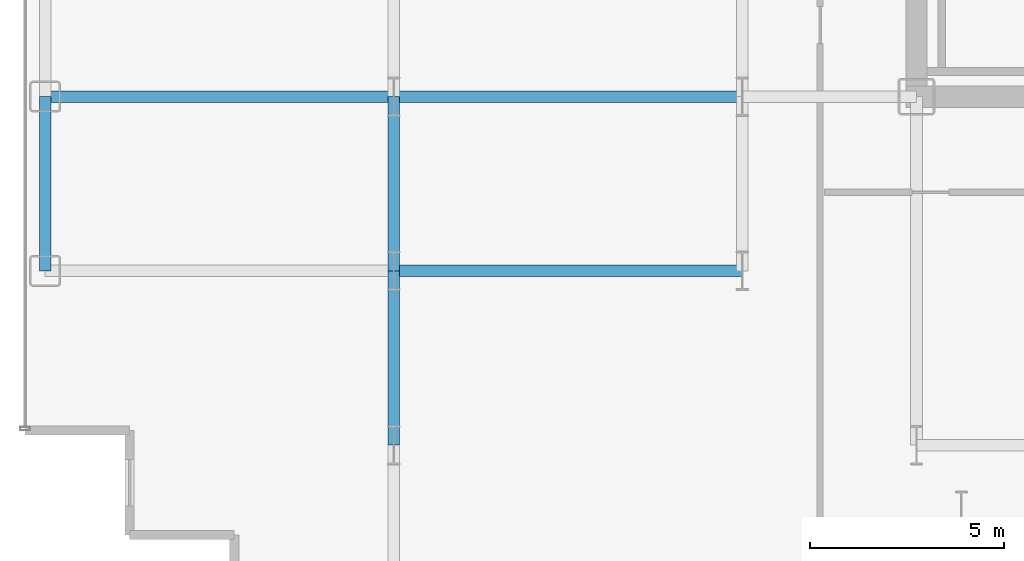
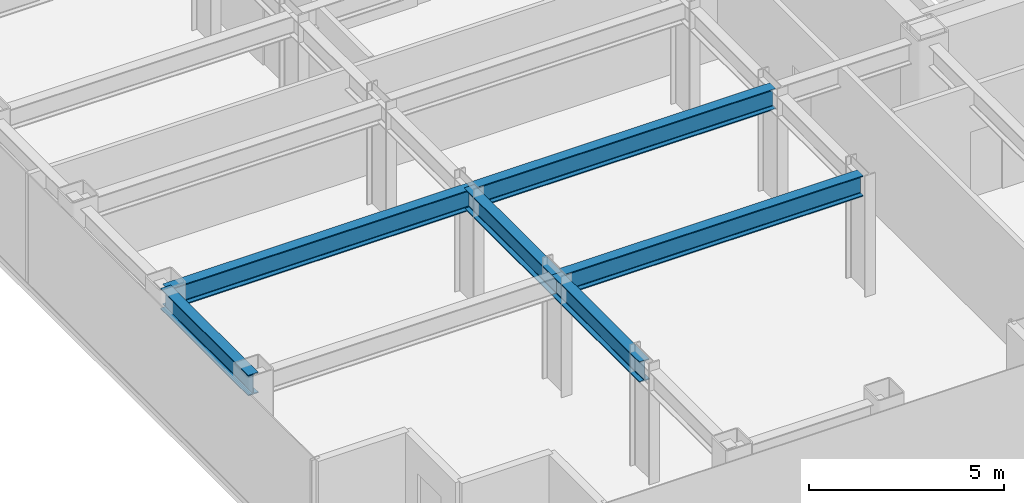
# One storey, part 3 of 25: 6 beams.
"""IFC4 building model written with IfcOpenShell, lengths in metres."""

from ifc_helpers import new_model, si_unit, direction, frame, origin, origin_2d, place, context, subcontext, project, spatial, i_section, extrude, source, transform, mapped, material, material_profile, profile_set, type_object, element, save


model = new_model("IFC4")

# Units and contexts
model_context = context("Model", 3, precision=1e-05, world=origin(), true_north=direction((0.0, 1.0)))
body_context = subcontext(model_context, "Body", "Model", "MODEL_VIEW")
ifc_project = project(units=[si_unit("LENGTHUNIT", "METRE"), si_unit("AREAUNIT", "SQUARE_METRE"), si_unit("VOLUMEUNIT", "CUBIC_METRE"), si_unit("PLANEANGLEUNIT", "RADIAN"), si_unit("MASSUNIT", "GRAM", prefix="KILO")], contexts=[model_context])

# Site, building, storey
site_placement = place(None, origin())
site = spatial("IfcSite", under=ifc_project, at=site_placement, CompositionType="ELEMENT")
building_placement = place(site_placement, origin())
building = spatial("IfcBuilding", under=site, at=building_placement, Name="Nefas-Gora Pilgrimage Tower", CompositionType="ELEMENT")
storey_placement = place(building_placement, frame((0.0, 0.0, 109.800048828125)))
storey = spatial("IfcBuildingStorey", under=building, at=storey_placement, Name="L26", CompositionType="ELEMENT", Elevation=109.800048828125)

# Beams
ifc_material = material(Name="Steel S355", Category="steel")
ifc_material_profile_1 = material_profile(ifc_material, i_section(OverallWidth=0.300048828125, OverallDepth=0.64990234375, WebThickness=0.01611328125, FlangeThickness=0.031005859375, FilletRadius=0.027099609375, at=origin_2d()), Name="HEB 650")
ifc_profile_set_1 = profile_set([ifc_material_profile_1], Name="Steel S355")
beam_type_1 = type_object("IfcBeamType", Name="BM-SPN-HEB500", PredefinedType="SPANDREL", material=ifc_profile_set_1)
shared_shape_1 = source(origin(), body_context, "Body", "SweptSolid", [
    extrude(i_section(OverallWidth=0.300048828125, OverallDepth=0.64990234375, WebThickness=0.01611328125, FlangeThickness=0.031005859375, FilletRadius=0.027099609375, at=origin_2d()), origin(), (0.0, 0.0, 1.0), 4.5),
])
beam_placement = place(storey_placement, frame((-33.75, -13.5, 3.224853515625), z_axis=(0.0, 1.0, 0.0), x_axis=(-1.0, 0.0, 0.0)))
element("IfcBeam", 1, at=beam_placement, inside=storey, type_object=beam_type_1, Name="L26 SP-02 beam", PredefinedType="SPANDREL", context=body_context, shape_type="MappedRepresentation", body=[
    mapped(shared_shape_1, transform((0.0, 0.0, 0.0), x_axis=(1.0, 0.0, 0.0), y_axis=(0.0, 1.0, 0.0), z_axis=(0.0, 0.0, 1.0), scale=1.0)),
])
ifc_material_profile_2 = material_profile(ifc_material, i_section(OverallWidth=0.300048828125, OverallDepth=0.64990234375, WebThickness=0.01611328125, FlangeThickness=0.031005859375, FilletRadius=0.027099609375, at=origin_2d()), Name="HEB 650")
ifc_profile_set_2 = profile_set([ifc_material_profile_2], Name="Steel S355")
beam_type_2 = type_object("IfcBeamType", Name="BM-GIR-HEB650", PredefinedType="BEAM", material=ifc_profile_set_2)
shared_shape_2 = source(origin(), body_context, "Body", "SweptSolid", [
    extrude(i_section(OverallWidth=0.300048828125, OverallDepth=0.64990234375, WebThickness=0.01611328125, FlangeThickness=0.031005859375, FilletRadius=0.027099609375, at=origin_2d()), origin(), (0.0, 0.0, 1.0), 9.0),
])
for number, where, z_axis, x_axis, name in (
    (2, (-33.75, -9.0, 3.224853515625), (1.0, 0.0, 0.0), (0.0, 1.0, 0.0), "L26 G-03 beam"),
    (3, (-24.75, -13.5, 3.224853515625), (1.0, 0.0, 0.0), (0.0, 1.0, 0.0), "L26 G-03 beam"),
    (4, (-24.75, -9.0, 3.224853515625), (1.0, 0.0, 0.0), (0.0, 1.0, 0.0), "L26 G-03 beam"),
):
    element("IfcBeam", number, at=place(storey_placement, frame(where, z_axis=z_axis, x_axis=x_axis)), inside=storey, type_object=beam_type_2, Name=name, PredefinedType="BEAM", context=body_context, shape_type="MappedRepresentation", body=[
        mapped(shared_shape_2, transform((0.0, 0.0, 0.0), x_axis=(1.0, 0.0, 0.0), y_axis=(0.0, 1.0, 0.0), z_axis=(0.0, 0.0, 1.0), scale=1.0)),
    ])
shared_shape_3 = source(origin(), body_context, "Body", "SweptSolid", [
    extrude(i_section(OverallWidth=0.300048828125, OverallDepth=0.64990234375, WebThickness=0.01611328125, FlangeThickness=0.031005859375, FilletRadius=0.027099609375, at=origin_2d()), origin(), (0.0, 0.0, 1.0), 4.5),
])
for number, where, z_axis, x_axis, name in (
    (5, (-24.75, -18.0, 3.224853515625), (0.0, 1.0, 0.0), (-1.0, 0.0, 0.0), "L26 G-03 beam"),
    (6, (-24.75, -13.5, 3.224853515625), (0.0, 1.0, 0.0), (-1.0, 0.0, 0.0), "L26 G-03 beam"),
):
    element("IfcBeam", number, at=place(storey_placement, frame(where, z_axis=z_axis, x_axis=x_axis)), inside=storey, type_object=beam_type_2, Name=name, PredefinedType="BEAM", context=body_context, shape_type="MappedRepresentation", body=[
        mapped(shared_shape_3, transform((0.0, 0.0, 0.0), x_axis=(1.0, 0.0, 0.0), y_axis=(0.0, 1.0, 0.0), z_axis=(0.0, 0.0, 1.0), scale=1.0)),
    ])

save(model, "model.ifc")
